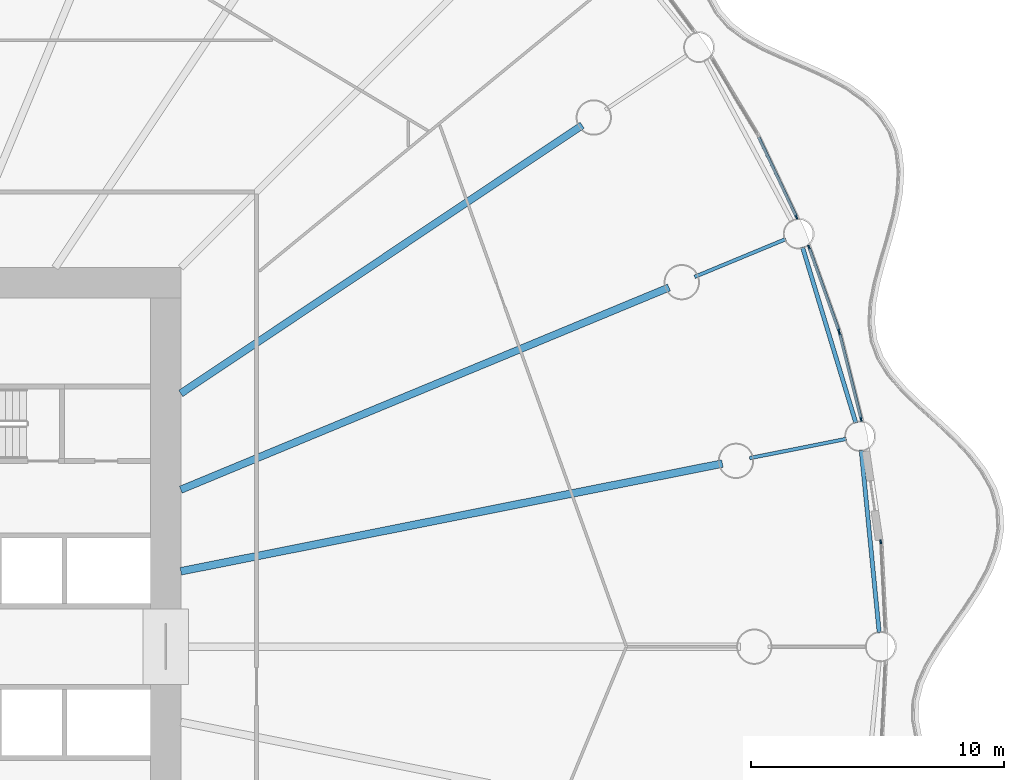
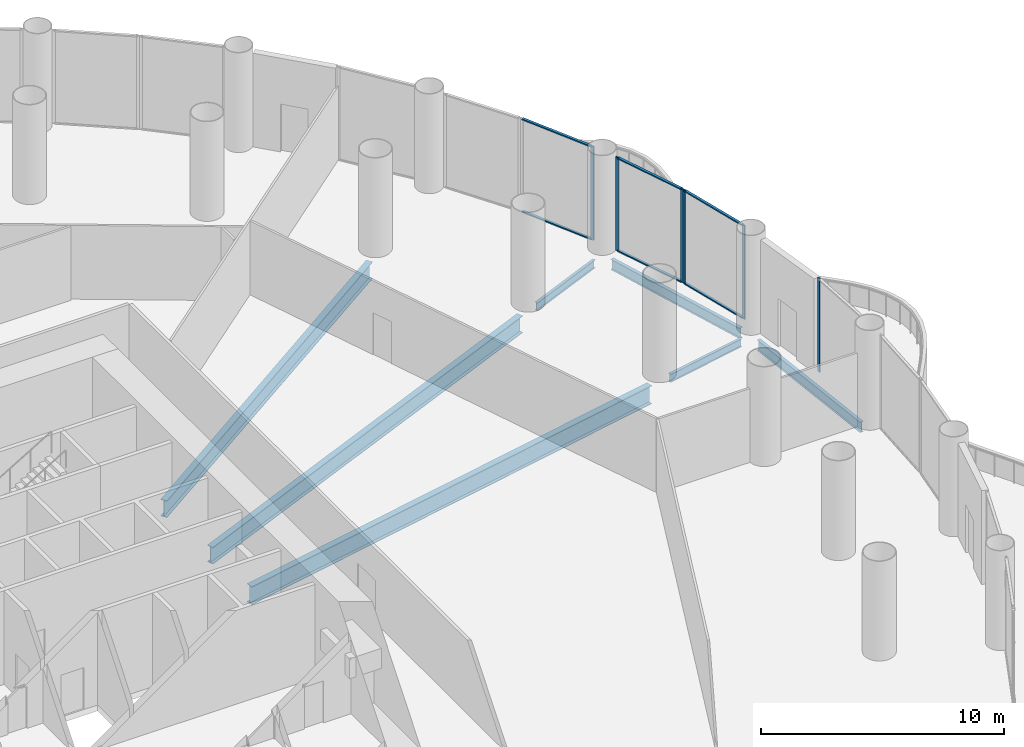
# One storey, part 13 of 35: 12 members, 7 beams, 4 elements without a shape of their own.
"""IFC4 building model written with IfcOpenShell, lengths in metres."""

from ifc_helpers import new_model, si_unit, direction, frame, origin, origin_2d, place, context, subcontext, project, spatial, rectangle, i_section, extrude, material, material_profile, profile_set, type_object, element, aggregate, save


model = new_model("IFC4")

# Units and contexts
model_context = context("Model", 3, precision=1e-05, world=origin(), true_north=direction((0.0, 1.0)))
body_context = subcontext(model_context, "Body", "Model", "MODEL_VIEW")
ifc_project = project(units=[si_unit("LENGTHUNIT", "METRE"), si_unit("AREAUNIT", "SQUARE_METRE"), si_unit("VOLUMEUNIT", "CUBIC_METRE"), si_unit("PLANEANGLEUNIT", "RADIAN"), si_unit("MASSUNIT", "GRAM", prefix="KILO")], contexts=[model_context])

# Site, building, storey
site_placement = place(None, origin())
site = spatial("IfcSite", under=ifc_project, at=site_placement, CompositionType="ELEMENT")
building_placement = place(site_placement, origin())
building = spatial("IfcBuilding", under=site, at=building_placement, Name="Corvane Civic Tower", CompositionType="ELEMENT")
storey_placement = place(building_placement, frame((0.0, 0.0, 27.0)))
storey = spatial("IfcBuildingStorey", under=building, at=storey_placement, Name="L05", CompositionType="ELEMENT", Elevation=27.0)

# Beams
ifc_material_1 = material(Name="Steel ASTM A992 Gr 50", Category="steel")
ifc_material_profile_1 = material_profile(ifc_material_1, i_section(OverallWidth=0.165771484375, OverallDepth=0.5283203125, WebThickness=0.009765625, FlangeThickness=0.013671875, at=origin_2d()), Name="W21X50")
ifc_profile_set_1 = profile_set([ifc_material_profile_1], Name="Steel ASTM A992 Gr 50")
beam_type_1 = type_object("IfcBeamType", Name="EDGE BEAM W21X50", PredefinedType="BEAM", material=ifc_profile_set_1)
for number, where, z_axis, x_axis, name in (
    (1, (39.609375, 15.814208984375, -0.564208984375), (0.290291633127, -0.956938225664, 0.0), (0.956938225664, 0.290291633127, 0.0), "BM-L05-E07"),
    (2, (41.93359375, 7.782958984375, -0.564208984375), (0.097984225478, -0.995187967953, 0.0), (0.995187967953, 0.097984225478, 0.0), "BM-L05-E08"),
):
    element("IfcBeam", number, at=place(storey_placement, frame(where, z_axis=z_axis, x_axis=x_axis)), inside=storey, type_object=beam_type_1, Name=name, PredefinedType="BEAM", context=body_context, shape_type="SweptSolid", body=[
        extrude(i_section(OverallWidth=0.165771484375, OverallDepth=0.5283203125, WebThickness=0.009765625, FlangeThickness=0.013671875, at=origin_2d()), origin(), (0.0, 0.0, 1.0), 7.2705078125),
    ])
ifc_material_2 = material(Name="Steel ASTM A992 Gr 50", Category="steel")
ifc_material_profile_2 = material_profile(ifc_material_2, i_section(OverallWidth=0.140380859375, OverallDepth=0.40380859375, WebThickness=0.007080078125, FlangeThickness=0.01123046875, at=origin_2d()), Name="W16X31")
ifc_profile_set_2 = profile_set([ifc_material_profile_2], Name="Steel ASTM A992 Gr 50")
beam_type_2 = type_object("IfcBeamType", Name="FLOOR GIRDER W16X31", PredefinedType="BEAM", material=ifc_profile_set_2)
for number, where, z_axis, x_axis, name in (
    (3, (35.33837890625, 14.6376953125, -0.501953125), (0.923878730261, 0.382685369162, 0.0), (-0.382685369162, 0.923878730261, 0.0), "BM-L05-G07b"),
    (4, (37.51513671875, 7.462158203125, -0.501953125), (0.980777614264, 0.195128858343, 0.0), (-0.195128858343, 0.980777614264, 0.0), "BM-L05-G08b"),
):
    element("IfcBeam", number, at=place(storey_placement, frame(where, z_axis=z_axis, x_axis=x_axis)), inside=storey, type_object=beam_type_2, Name=name, PredefinedType="BEAM", context=body_context, shape_type="SweptSolid", body=[
        extrude(i_section(OverallWidth=0.140380859375, OverallDepth=0.40380859375, WebThickness=0.007080078125, FlangeThickness=0.01123046875, at=origin_2d()), origin(), (0.0, 0.0, 1.0), 3.89990234375),
    ])
ifc_material_3 = material(Name="Steel ASTM A992 Gr 50", Category="steel")
ifc_material_profile_3 = material_profile(ifc_material_3, i_section(OverallWidth=0.2919921875, OverallDepth=0.845703125, WebThickness=0.015380859375, FlangeThickness=0.0244140625, at=origin_2d()), Name="W33X141")
ifc_profile_set_3 = profile_set([ifc_material_profile_3], Name="Steel ASTM A992 Gr 50")
beam_type_3 = type_object("IfcBeamType", Name="FLOOR GIRDER W33X141", PredefinedType="BEAM", material=ifc_profile_set_3)
beam_1_placement = place(storey_placement, frame((15.0, 10.022705078125, -0.722900390625), z_axis=(0.831471985418, 0.555566681385, 0.0), x_axis=(-0.555566681385, 0.831471985418, 0.0)))
element("IfcBeam", 5, at=beam_1_placement, inside=storey, type_object=beam_type_3, Name="BM-L05-G06", PredefinedType="BEAM", context=body_context, shape_type="SweptSolid", body=[
    extrude(i_section(OverallWidth=0.2919921875, OverallDepth=0.845703125, WebThickness=0.015380859375, FlangeThickness=0.0244140625, at=origin_2d()), origin(), (0.0, 0.0, 1.0), 19.109619140625),
])
beam_2_placement = place(storey_placement, frame((15.0, 6.213134765625, -0.722900390625), z_axis=(0.923875834355, 0.382692360381, 0.0), x_axis=(-0.382692360381, 0.923875834355, 0.0)))
element("IfcBeam", 6, at=beam_2_placement, inside=storey, type_object=beam_type_3, Name="BM-L05-G07", PredefinedType="BEAM", context=body_context, shape_type="SweptSolid", body=[
    extrude(i_section(OverallWidth=0.2919921875, OverallDepth=0.845703125, WebThickness=0.015380859375, FlangeThickness=0.0244140625, at=origin_2d()), origin(), (0.0, 0.0, 1.0), 20.9140625),
])
ifc_material_4 = material(Name="Steel ASTM A992 Gr 50", Category="steel")
ifc_material_profile_4 = material_profile(ifc_material_4, i_section(OverallWidth=0.3046875, OverallDepth=0.911865234375, WebThickness=0.015869140625, FlangeThickness=0.02392578125, at=origin_2d()), Name="W36X150")
ifc_profile_set_4 = profile_set([ifc_material_profile_4], Name="Steel ASTM A992 Gr 50")
beam_type_4 = type_object("IfcBeamType", Name="FLOOR GIRDER W36X150", PredefinedType="BEAM", material=ifc_profile_set_4)
beam_3_placement = place(storey_placement, frame((15.0, 2.983642578125, -0.755859375), z_axis=(0.980785499679, 0.195089219638, 0.0), x_axis=(-0.195089219638, 0.980785499679, 0.0)))
element("IfcBeam", 7, at=beam_3_placement, inside=storey, type_object=beam_type_4, Name="BM-L05-G08", PredefinedType="BEAM", context=body_context, shape_type="SweptSolid", body=[
    extrude(i_section(OverallWidth=0.3046875, OverallDepth=0.911865234375, WebThickness=0.015869140625, FlangeThickness=0.02392578125, at=origin_2d()), origin(), (0.0, 0.0, 1.0), 21.856201171875),
])

# Curtain wall, member
ifc_material_5 = material(Name="Aluminium and glass", Category="aluminium")
curtain_wall_type = type_object("IfcCurtainWallType", Name="PODIUM-CW-P-RUN", PredefinedType="NOTDEFINED", material=ifc_material_5)
curtain_wall_1_placement = place(storey_placement, origin())
curtain_wall_1 = element("IfcCurtainWall", 8, at=curtain_wall_1_placement, inside=storey, type_object=curtain_wall_type, Name="PODI run L05-drum-06B", PredefinedType="NOTDEFINED")
ifc_material_6 = material(Name="Anodised aluminium bronze", Category="aluminium")
ifc_material_profile_5 = material_profile(ifc_material_6, rectangle(XDim=0.06005859375, YDim=0.159912109375, at=origin_2d()), Name="AL 60x160")
ifc_profile_set_5 = profile_set([ifc_material_profile_5], Name="Anodised aluminium bronze")
member_type_1 = type_object("IfcMemberType", Name="PODIUM-CWP-MULLION-60x160", PredefinedType="MULLION", material=ifc_profile_set_5)
member_1_placement = place(storey_placement, frame((39.36767578125, 17.00439453125, 0.0), z_axis=(0.0, 0.0, 1.0), x_axis=(0.903990222454, 0.42755312852, 0.0)))
member_1 = element("IfcMember", 9, at=member_1_placement, type_object=member_type_1, Name="CW-P mullion 2", PredefinedType="MULLION", context=body_context, shape_type="SweptSolid", body=[
    extrude(rectangle(XDim=0.06005859375, YDim=0.159912109375, at=origin_2d()), origin(), (0.0, 0.0, 1.0), 4.699951171875),
])

# Curtain wall, members
curtain_wall_2_placement = place(storey_placement, origin())
curtain_wall_2 = element("IfcCurtainWall", 10, at=curtain_wall_2_placement, inside=storey, type_object=curtain_wall_type, Name="PODI run L05-drum-07A", PredefinedType="NOTDEFINED")
member_2_placement = place(storey_placement, frame((39.861083984375, 15.81298828125, 0.0), z_axis=(0.0, 0.0, 1.0), x_axis=(0.941533802561, 0.336918534123, 0.0)))
member_2 = element("IfcMember", 11, at=member_2_placement, type_object=member_type_1, Name="CW-P mullion 1", PredefinedType="MULLION", context=body_context, shape_type="SweptSolid", body=[
    extrude(rectangle(XDim=0.06005859375, YDim=0.159912109375, at=origin_2d()), origin(), (0.0, 0.0, 1.0), 4.699951171875),
])
member_3_placement = place(storey_placement, frame((41.046875, 12.4990234375, 0.0), z_axis=(0.0, 0.0, 1.0), x_axis=(0.941533802561, 0.336918534123, 0.0)))
member_3 = element("IfcMember", 12, at=member_3_placement, type_object=member_type_1, Name="CW-P mullion 2", PredefinedType="MULLION", context=body_context, shape_type="SweptSolid", body=[
    extrude(rectangle(XDim=0.06005859375, YDim=0.159912109375, at=origin_2d()), origin(), (0.0, 0.0, 1.0), 4.699951171875),
])

curtain_wall_3_placement = place(storey_placement, origin())
curtain_wall_3 = element("IfcCurtainWall", 13, at=curtain_wall_3_placement, inside=storey, type_object=curtain_wall_type, Name="PODI run L05-drum-07B", PredefinedType="NOTDEFINED")
member_4_placement = place(storey_placement, frame((41.0732421875, 12.411865234375, 0.0), z_axis=(0.0, 0.0, 1.0), x_axis=(0.970024070659, 0.243008852393, 0.0)))
member_4 = element("IfcMember", 14, at=member_4_placement, type_object=member_type_1, Name="CW-P mullion 1", PredefinedType="MULLION", context=body_context, shape_type="SweptSolid", body=[
    extrude(rectangle(XDim=0.06005859375, YDim=0.159912109375, at=origin_2d()), origin(), (0.0, 0.0, 1.0), 4.699951171875),
])
member_5_placement = place(storey_placement, frame((41.9287109375, 8.99755859375, 0.0), z_axis=(0.0, 0.0, 1.0), x_axis=(0.970024070659, 0.243008852393, 0.0)))
member_5 = element("IfcMember", 15, at=member_5_placement, type_object=member_type_1, Name="CW-P mullion 2", PredefinedType="MULLION", context=body_context, shape_type="SweptSolid", body=[
    extrude(rectangle(XDim=0.06005859375, YDim=0.159912109375, at=origin_2d()), origin(), (0.0, 0.0, 1.0), 4.699951171875),
])

# Curtain wall, member
curtain_wall_4_placement = place(storey_placement, origin())
curtain_wall_4 = element("IfcCurtainWall", 16, at=curtain_wall_4_placement, inside=storey, type_object=curtain_wall_type, Name="PODI run L05-drum-08B", PredefinedType="NOTDEFINED")
member_6_placement = place(storey_placement, frame((42.70556640625, 4.16064453125, 0.0), z_axis=(0.0, 0.0, 1.0), x_axis=(0.998796316803, 0.04905015332, 0.0)))
member_6 = element("IfcMember", 17, at=member_6_placement, type_object=member_type_1, Name="CW-P mullion 1", PredefinedType="MULLION", context=body_context, shape_type="SweptSolid", body=[
    extrude(rectangle(XDim=0.06005859375, YDim=0.159912109375, at=origin_2d()), origin(), (0.0, 0.0, 1.0), 4.699951171875),
])
aggregate(curtain_wall_4, [member_6])

# Member
ifc_material_7 = material(Name="Anodised aluminium bronze", Category="aluminium")
ifc_material_profile_6 = material_profile(ifc_material_7, rectangle(XDim=0.1201171875, YDim=0.06005859375, at=origin_2d()), Name="AL 120x60")
ifc_profile_set_6 = profile_set([ifc_material_profile_6], Name="Anodised aluminium bronze")
member_type_2 = type_object("IfcMemberType", Name="PODIUM-CWP-TRANSOM-60x120", PredefinedType="USERDEFINED", material=ifc_profile_set_6)
member_7_placement = place(storey_placement, frame((37.87548828125, 20.1591796875, 0.030029296875), z_axis=(0.427546343166, -0.903993431638, 0.0), x_axis=(0.903993431638, 0.427546343166, 0.0)))
member_7 = element("IfcMember", 18, at=member_7_placement, type_object=member_type_2, Name="CW-P transom 1.1", ObjectType="TRANSOM", PredefinedType="USERDEFINED", context=body_context, shape_type="SweptSolid", body=[
    extrude(rectangle(XDim=0.1201171875, YDim=0.06005859375, at=origin_2d()), origin(), (0.0, 0.0, 1.0), 3.4599609375),
])

member_8_placement = place(storey_placement, frame((37.87548828125, 20.1591796875, 4.669921875), z_axis=(0.427546343166, -0.903993431638, 0.0), x_axis=(0.903993431638, 0.427546343166, 0.0)))
member_8 = element("IfcMember", 19, at=member_8_placement, type_object=member_type_2, Name="CW-P transom 1.2", ObjectType="TRANSOM", PredefinedType="USERDEFINED", context=body_context, shape_type="SweptSolid", body=[
    extrude(rectangle(XDim=0.1201171875, YDim=0.06005859375, at=origin_2d()), origin(), (0.0, 0.0, 1.0), 3.4599609375),
])

aggregate(curtain_wall_1, [member_1, member_7, member_8])

member_9_placement = place(storey_placement, frame((39.87109375, 15.78466796875, 0.030029296875), z_axis=(0.336939787896, -0.941526196838, 0.0), x_axis=(0.941526196838, 0.336939787896, 0.0)))
member_9 = element("IfcMember", 20, at=member_9_placement, type_object=member_type_2, Name="CW-P transom 1.1", ObjectType="TRANSOM", PredefinedType="USERDEFINED", context=body_context, shape_type="SweptSolid", body=[
    extrude(rectangle(XDim=0.1201171875, YDim=0.06005859375, at=origin_2d()), origin(), (0.0, 0.0, 1.0), 3.4599609375),
])

member_10_placement = place(storey_placement, frame((39.87109375, 15.78466796875, 4.669921875), z_axis=(0.336939787896, -0.941526196838, 0.0), x_axis=(0.941526196838, 0.336939787896, 0.0)))
member_10 = element("IfcMember", 21, at=member_10_placement, type_object=member_type_2, Name="CW-P transom 1.2", ObjectType="TRANSOM", PredefinedType="USERDEFINED", context=body_context, shape_type="SweptSolid", body=[
    extrude(rectangle(XDim=0.1201171875, YDim=0.06005859375, at=origin_2d()), origin(), (0.0, 0.0, 1.0), 3.4599609375),
])

aggregate(curtain_wall_2, [member_2, member_3, member_9, member_10])

member_11_placement = place(storey_placement, frame((41.08056640625, 12.3828125, 0.030029296875), z_axis=(0.243017080124, -0.970022009425, 0.0), x_axis=(0.970022009425, 0.243017080124, 0.0)))
member_11 = element("IfcMember", 22, at=member_11_placement, type_object=member_type_2, Name="CW-P transom 1.1", ObjectType="TRANSOM", PredefinedType="USERDEFINED", context=body_context, shape_type="SweptSolid", body=[
    extrude(rectangle(XDim=0.1201171875, YDim=0.06005859375, at=origin_2d()), origin(), (0.0, 0.0, 1.0), 3.4599609375),
])

member_12_placement = place(storey_placement, frame((41.08056640625, 12.3828125, 4.669921875), z_axis=(0.243017080124, -0.970022009425, 0.0), x_axis=(0.970022009425, 0.243017080124, 0.0)))
member_12 = element("IfcMember", 23, at=member_12_placement, type_object=member_type_2, Name="CW-P transom 1.2", ObjectType="TRANSOM", PredefinedType="USERDEFINED", context=body_context, shape_type="SweptSolid", body=[
    extrude(rectangle(XDim=0.1201171875, YDim=0.06005859375, at=origin_2d()), origin(), (0.0, 0.0, 1.0), 3.4599609375),
])

aggregate(curtain_wall_3, [member_4, member_5, member_11, member_12])

save(model, "model.ifc")
